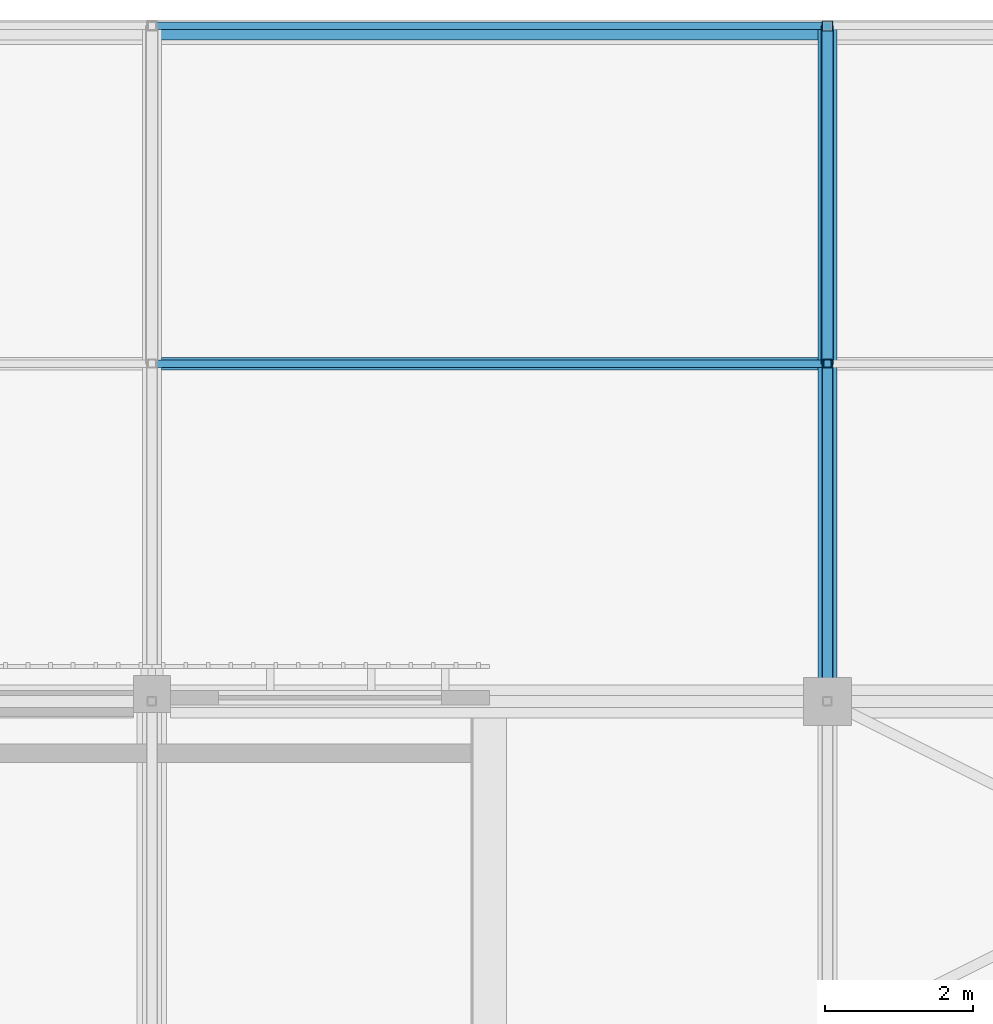
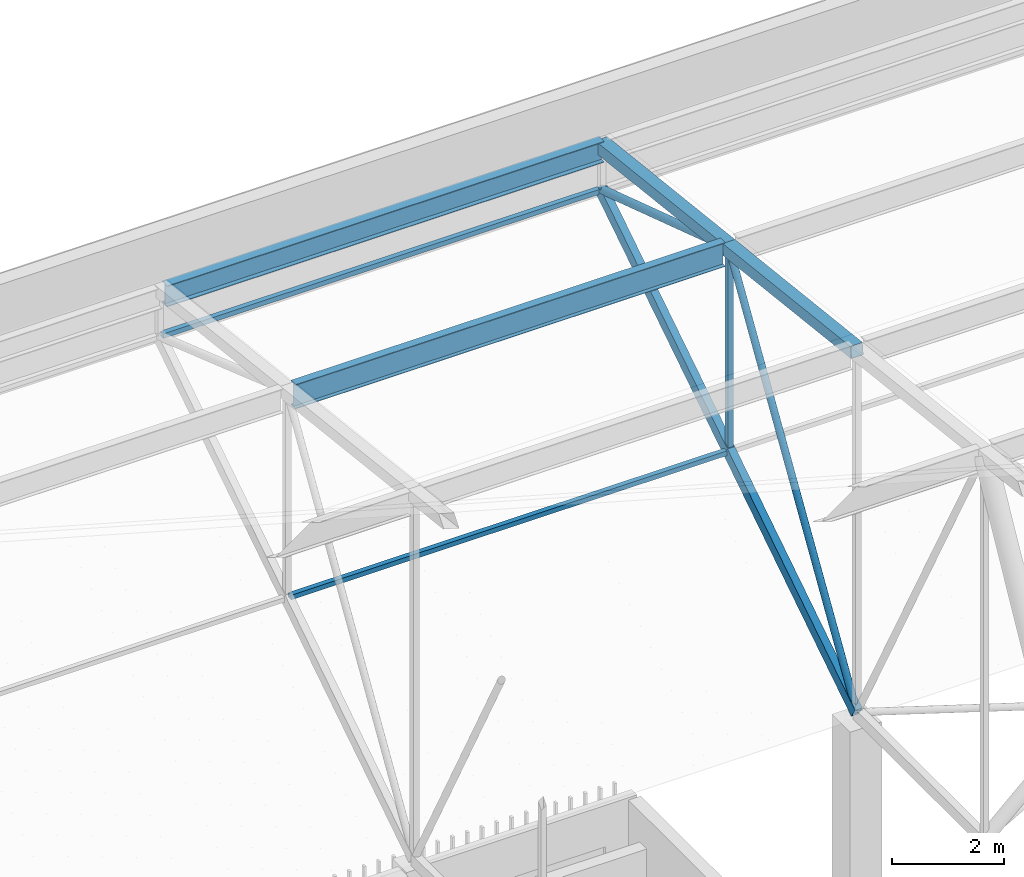
# One storey, part 252 of 500: 11 members.
"""IFC4 building model written with IfcOpenShell, lengths in metres."""

from ifc_helpers import new_model, si_unit, direction, frame, origin, origin_2d, place, context, subcontext, project, spatial, hollow_rectangle, hollow_circle, i_section, extrude, material, material_profile, profile_set, type_object, element, save


model = new_model("IFC4")

# Units and contexts
model_context = context("Model", 3, precision=1e-05, world=origin(), true_north=direction((0.0, 1.0)))
body_context = subcontext(model_context, "Body", "Model", "MODEL_VIEW")
ifc_project = project(units=[si_unit("LENGTHUNIT", "METRE"), si_unit("AREAUNIT", "SQUARE_METRE"), si_unit("VOLUMEUNIT", "CUBIC_METRE"), si_unit("PLANEANGLEUNIT", "RADIAN"), si_unit("MASSUNIT", "GRAM", prefix="KILO")], contexts=[model_context])

# Site, building, storey
site_placement = place(None, origin())
site = spatial("IfcSite", under=ifc_project, at=site_placement, CompositionType="ELEMENT")
building_placement = place(site_placement, origin())
building = spatial("IfcBuilding", under=site, at=building_placement, Name="Shirokan Park Arena", CompositionType="ELEMENT")
storey_placement = place(building_placement, frame((0.0, 0.0, 29.1201171875)))
storey = spatial("IfcBuildingStorey", under=building, at=storey_placement, Name="L06", CompositionType="ELEMENT", Elevation=29.1201171875)

# Members
ifc_material_1 = material(Name="Steel ASTM A500 Grade C", Category="steel")
ifc_material_profile_1 = material_profile(ifc_material_1, hollow_rectangle(XDim=0.152099609375, YDim=0.25390625, WallThickness=0.009521484375, at=origin_2d()), Name="HSS254X152.4X9.5")
ifc_profile_set_1 = profile_set([ifc_material_profile_1], Name="Steel ASTM A500 Grade C")
member_type_1 = type_object("IfcMemberType", Name="Bottom chord HSS254X152.4X9.5", PredefinedType="CHORD", material=ifc_profile_set_1)
for number, where, z_axis, x_axis, name in (
    (1, (45.5, 109.199951171875, 4.677001953125), (0.0, 0.840971691661, 0.541079119746), (-1.0, 0.0, 0.0), "Truss T06 bottom chord 27"),
    (2, (45.5, 113.75, 7.6044921875), (0.0, 0.840971691661, 0.541079119746), (-1.0, 0.0, 0.0), "Truss T06 bottom chord 28"),
):
    element("IfcMember", number, at=place(storey_placement, frame(where, z_axis=z_axis, x_axis=x_axis)), inside=storey, type_object=member_type_1, Name=name, PredefinedType="CHORD", context=body_context, shape_type="SweptSolid", body=[
        extrude(hollow_rectangle(XDim=0.152099609375, YDim=0.25390625, WallThickness=0.009521484375, at=origin_2d()), origin(), (0.0, 0.0, 1.0), 5.410400390625),
    ])
ifc_material_profile_2 = material_profile(ifc_material_1, hollow_rectangle(XDim=0.10205078125, YDim=0.10205078125, WallThickness=0.00634765625, at=origin_2d()), Name="HSS101.6X101.6X6.4")
ifc_profile_set_2 = profile_set([ifc_material_profile_2], Name="Steel ASTM A500 Grade C")
member_type_2 = type_object("IfcMemberType", Name="Eave soffit rail HSS101.6X101.6X6.4", PredefinedType="USERDEFINED", material=ifc_profile_set_2)
for number, where, z_axis, x_axis, name in (
    (3, (36.45703125, 118.300048828125, 10.531982421875), (1.0, 0.0, 0.0), (0.0, 1.0, 0.0), "Eave soffit rail N 29 bay 5"),
    (4, (36.45703125, 113.75, 7.6044921875), (1.0, 0.0, 0.0), (0.0, 1.0, 0.0), "Eave soffit rail N 28 bay 5"),
):
    element("IfcMember", number, at=place(storey_placement, frame(where, z_axis=z_axis, x_axis=x_axis)), inside=storey, type_object=member_type_2, Name=name, ObjectType="EAVE SOFFIT RAIL", PredefinedType="USERDEFINED", context=body_context, shape_type="SweptSolid", body=[
        extrude(hollow_rectangle(XDim=0.10205078125, YDim=0.10205078125, WallThickness=0.00634765625, at=origin_2d()), origin(), (0.0, 0.0, 1.0), 8.986083984375),
    ])
ifc_material_2 = material(Name="Steel ASTM A992", Category="steel")
ifc_material_profile_3 = material_profile(ifc_material_2, i_section(OverallWidth=0.166015625, OverallDepth=0.528076171875, WebThickness=0.009765625, FlangeThickness=0.013671875, at=origin_2d()), Name="W530X74")
ifc_profile_set_3 = profile_set([ifc_material_profile_3], Name="Steel ASTM A992")
member_type_3 = type_object("IfcMemberType", Name="Purlin W530X74", PredefinedType="PURLIN", material=ifc_profile_set_3)
member_1_placement = place(storey_placement, frame((36.527099609375, 113.75, 11.9658203125), z_axis=(1.0, 0.0, 0.0), x_axis=(0.0, 1.0, 0.0)))
element("IfcMember", 5, at=member_1_placement, inside=storey, type_object=member_type_3, Name="Purlin 28 bay 5", PredefinedType="PURLIN", context=body_context, shape_type="SweptSolid", body=[
    extrude(i_section(OverallWidth=0.166015625, OverallDepth=0.528076171875, WebThickness=0.009765625, FlangeThickness=0.013671875, at=origin_2d()), origin(), (0.0, 0.0, 1.0), 8.845947265625),
])
ifc_material_profile_4 = material_profile(ifc_material_2, i_section(OverallWidth=0.19091796875, OverallDepth=0.45703125, WebThickness=0.009033203125, FlangeThickness=0.014404296875, at=origin_2d()), Name="W460X74")
ifc_profile_set_4 = profile_set([ifc_material_profile_4], Name="Steel ASTM A992")
member_type_4 = type_object("IfcMemberType", Name="Roof edge beam W460X74", PredefinedType="USERDEFINED", material=ifc_profile_set_4)
member_2_placement = place(storey_placement, frame((36.45703125, 118.20458984375, 11.4814453125), z_axis=(1.0, 0.0, 0.0), x_axis=(0.0, 1.0, 0.0)))
element("IfcMember", 6, at=member_2_placement, inside=storey, type_object=member_type_4, Name="Roof edge beam N 6", ObjectType="ROOF EDGE BEAM", PredefinedType="USERDEFINED", context=body_context, shape_type="SweptSolid", body=[
    extrude(i_section(OverallWidth=0.19091796875, OverallDepth=0.45703125, WebThickness=0.009033203125, FlangeThickness=0.014404296875, at=origin_2d()), origin(), (0.0, 0.0, 1.0), 8.986083984375),
])
ifc_material_profile_5 = material_profile(ifc_material_1, hollow_rectangle(XDim=0.25390625, YDim=0.25390625, WallThickness=0.009521484375, at=origin_2d()), Name="HSS254X254X9.5")
ifc_profile_set_5 = profile_set([ifc_material_profile_5], Name="Steel ASTM A500 Grade C")
member_type_5 = type_object("IfcMemberType", Name="Top chord HSS254X254X9.5", PredefinedType="CHORD", material=ifc_profile_set_5)
for number, where, z_axis, x_axis, name in (
    (7, (45.5, 109.199951171875, 12.54150390625), (0.0, 0.993532328996, -0.113549598152), (-1.0, 0.0, 0.0), "Truss T06 top chord 27"),
    (8, (45.5, 113.75, 12.021484375), (0.0, 0.993532328996, -0.113549598152), (-1.0, 0.0, 0.0), "Truss T06 top chord 28"),
):
    element("IfcMember", number, at=place(storey_placement, frame(where, z_axis=z_axis, x_axis=x_axis)), inside=storey, type_object=member_type_5, Name=name, PredefinedType="CHORD", context=body_context, shape_type="SweptSolid", body=[
        extrude(hollow_rectangle(XDim=0.25390625, YDim=0.25390625, WallThickness=0.009521484375, at=origin_2d()), origin(), (0.0, 0.0, 1.0), 4.57958984375),
    ])
ifc_material_profile_6 = material_profile(ifc_material_1, hollow_circle(Radius=0.070556640625, WallThickness=0.006591796875, at=origin_2d()), Name="HSS141.3X6.6")
ifc_profile_set_6 = profile_set([ifc_material_profile_6], Name="Steel ASTM A500 Grade C")
member_type_6 = type_object("IfcMemberType", Name="Truss diagonal HSS141.3X6.6", PredefinedType="BRACE", material=ifc_profile_set_6)
member_3_placement = place(storey_placement, frame((45.5, 109.199951171875, 4.677001953125), z_axis=(0.0, 0.526644483383, 0.850085635758), x_axis=(-1.0, 0.0, 0.0)))
element("IfcMember", 9, at=member_3_placement, inside=storey, type_object=member_type_6, Name="Truss T06 diagonal 27", PredefinedType="BRACE", context=body_context, shape_type="SweptSolid", body=[
    extrude(hollow_circle(Radius=0.070556640625, WallThickness=0.006591796875, at=origin_2d()), origin(), (0.0, 0.0, 1.0), 8.6396484375),
])
ifc_material_profile_7 = material_profile(ifc_material_1, hollow_circle(Radius=0.083984375, WallThickness=0.009521484375, at=origin_2d()), Name="HSS168.3X9.5")
ifc_profile_set_7 = profile_set([ifc_material_profile_7], Name="Steel ASTM A500 Grade C")
member_type_7 = type_object("IfcMemberType", Name="Truss diagonal HSS168.3X9.5", PredefinedType="BRACE", material=ifc_profile_set_7)
member_4_placement = place(storey_placement, frame((45.5, 113.75, 12.021484375), z_axis=(0.0, 0.950372733116, -0.311113593644), x_axis=(-1.0, 0.0, 0.0)))
element("IfcMember", 10, at=member_4_placement, inside=storey, type_object=member_type_7, Name="Truss T06 diagonal 28", PredefinedType="BRACE", context=body_context, shape_type="SweptSolid", body=[
    extrude(hollow_circle(Radius=0.083984375, WallThickness=0.009521484375, at=origin_2d()), origin(), (0.0, 0.0, 1.0), 4.78759765625),
])
ifc_material_profile_8 = material_profile(ifc_material_1, hollow_rectangle(XDim=0.114013671875, YDim=0.114013671875, WallThickness=0.00634765625, at=origin_2d()), Name="HSS114.3X114.3X6.4")
ifc_profile_set_8 = profile_set([ifc_material_profile_8], Name="Steel ASTM A500 Grade C")
member_type_8 = type_object("IfcMemberType", Name="Truss post HSS114.3X114.3X6.4", PredefinedType="POST", material=ifc_profile_set_8)
member_5_placement = place(storey_placement, frame((45.5, 113.75, 7.6044921875), z_axis=(0.0, 0.0, 1.0), x_axis=(1.0, 0.0, 0.0)))
element("IfcMember", 11, at=member_5_placement, inside=storey, type_object=member_type_8, Name="Truss T06 post 28", PredefinedType="POST", context=body_context, shape_type="SweptSolid", body=[
    extrude(hollow_rectangle(XDim=0.114013671875, YDim=0.114013671875, WallThickness=0.00634765625, at=origin_2d()), origin(), (0.0, 0.0, 1.0), 4.4169921875),
])

save(model, "model.ifc")
